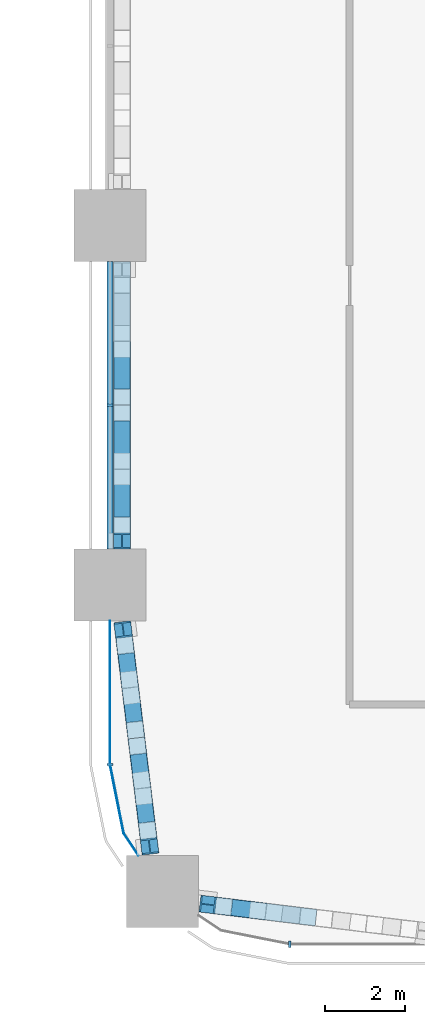
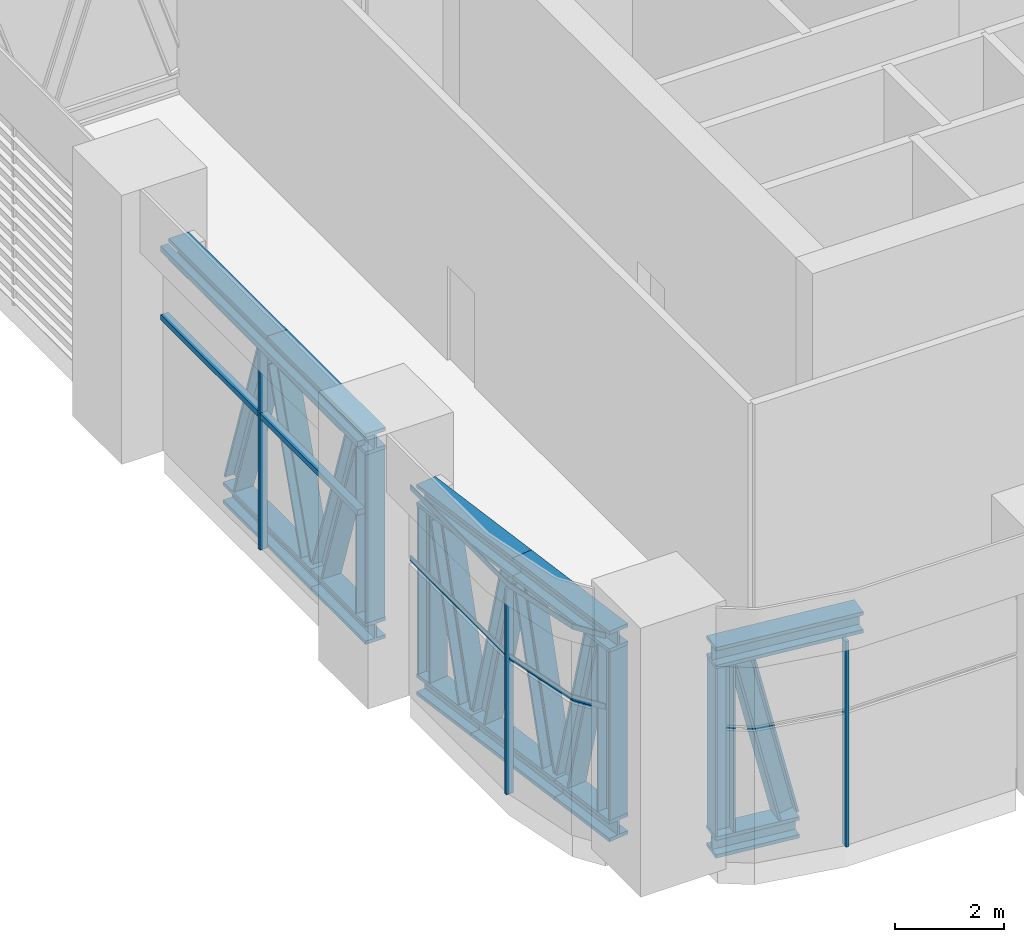
# One storey, part 2 of 24: 30 members, 3 elements without a shape of their own.
"""IFC4 building model written with IfcOpenShell, lengths in metres."""

from ifc_helpers import new_model, si_unit, direction, frame, origin, origin_2d, place, context, subcontext, project, spatial, polyline, rectangle, i_section, outline, extrude, material, material_profile, profile_set, type_object, element, aggregate, save


model = new_model("IFC4")

# Units and contexts
model_context = context("Model", 3, precision=1e-05, world=origin(), true_north=direction((0.0, 1.0)))
body_context = subcontext(model_context, "Body", "Model", "MODEL_VIEW")
ifc_project = project(units=[si_unit("LENGTHUNIT", "METRE"), si_unit("AREAUNIT", "SQUARE_METRE"), si_unit("VOLUMEUNIT", "CUBIC_METRE"), si_unit("PLANEANGLEUNIT", "RADIAN"), si_unit("MASSUNIT", "GRAM", prefix="KILO")], contexts=[model_context])

# Site, building, storey
site_placement = place(None, origin())
site = spatial("IfcSite", under=ifc_project, at=site_placement, CompositionType="ELEMENT")
building_placement = place(site_placement, origin())
building = spatial("IfcBuilding", under=site, at=building_placement, Name="Tessera Arch", CompositionType="ELEMENT")
storey_placement = place(building_placement, frame((0.0, 0.0, 123.39990234375)))
storey = spatial("IfcBuildingStorey", under=building, at=storey_placement, Name="L29", CompositionType="ELEMENT", Elevation=123.39990234375)

# Curtain wall, member
ifc_material_1 = material(Name="CW7 curtain wall")
curtain_wall_type = type_object("IfcCurtainWallType", Name="CW7 curtain wall", PredefinedType="NOTDEFINED", material=ifc_material_1)
curtain_wall_1_placement = place(storey_placement, origin())
curtain_wall_1 = element("IfcCurtainWall", 1, at=curtain_wall_1_placement, inside=storey, type_object=curtain_wall_type, Name="CW7 curtain wall W27.0/1 L29", PredefinedType="NOTDEFINED")
ifc_material_2 = material(Name="Anodised aluminium pale metal", Category="aluminium")
ifc_material_profile_1 = material_profile(ifc_material_2, rectangle(XDim=0.159912109375, YDim=0.06005859375, at=origin_2d()), Name="AL 60x160")
ifc_profile_set_1 = profile_set([ifc_material_profile_1], Name="Anodised aluminium pale metal")
member_type_1 = type_object("IfcMemberType", Name="CW7 mullion", PredefinedType="MULLION", material=ifc_profile_set_1)
member_1_placement = place(storey_placement, frame((27.0, 13.5, 0.0), z_axis=(0.0, 0.0, 1.0), x_axis=(1.0, 0.0, 0.0)))
member_1 = element("IfcMember", 2, at=member_1_placement, type_object=member_type_1, Name="CW7 mullion W27.0/1 1", PredefinedType="MULLION", context=body_context, shape_type="SweptSolid", body=[
    extrude(rectangle(XDim=0.159912109375, YDim=0.06005859375, at=origin_2d()), origin(), (0.0, 0.0, 1.0), 4.47021484375),
])

curtain_wall_2_placement = place(storey_placement, origin())
curtain_wall_2 = element("IfcCurtainWall", 3, at=curtain_wall_2_placement, inside=storey, type_object=curtain_wall_type, Name="CW7 curtain wall W27.0/2 L29", PredefinedType="NOTDEFINED")
member_2_placement = place(storey_placement, frame((27.0, 4.5, 0.0), z_axis=(0.0, 0.0, 1.0), x_axis=(1.0, 0.0, 0.0)))
member_2 = element("IfcMember", 4, at=member_2_placement, type_object=member_type_1, Name="CW7 mullion W27.0/2 1", PredefinedType="MULLION", context=body_context, shape_type="SweptSolid", body=[
    extrude(rectangle(XDim=0.159912109375, YDim=0.06005859375, at=origin_2d()), origin(), (0.0, 0.0, 1.0), 4.580078125),
])

curtain_wall_3_placement = place(storey_placement, origin())
curtain_wall_3 = element("IfcCurtainWall", 5, at=curtain_wall_3_placement, inside=storey, type_object=curtain_wall_type, Name="CW7 curtain wall S0.27/0 L29", PredefinedType="NOTDEFINED")
member_3_placement = place(storey_placement, frame((31.5, 0.0, 0.0), z_axis=(0.0, 0.0, 1.0), x_axis=(0.0, 1.0, 0.0)))
member_3 = element("IfcMember", 6, at=member_3_placement, type_object=member_type_1, Name="CW7 mullion S0.27/0 1", PredefinedType="MULLION", context=body_context, shape_type="SweptSolid", body=[
    extrude(rectangle(XDim=0.159912109375, YDim=0.06005859375, at=origin_2d()), origin(), (0.0, 0.0, 1.0), 4.580078125),
])
aggregate(curtain_wall_3, [member_3])

# Member
ifc_material_3 = material(Name="Anodised aluminium pale metal", Category="aluminium")
ifc_material_profile_2 = material_profile(ifc_material_3, rectangle(XDim=0.159912109375, YDim=0.1201171875, at=origin_2d()), Name="AL 160x120")
ifc_profile_set_2 = profile_set([ifc_material_profile_2], Name="Anodised aluminium pale metal")
member_type_2 = type_object("IfcMemberType", Name="CW7 transom", PredefinedType="USERDEFINED", material=ifc_profile_set_2)
member_4_placement = place(storey_placement, frame((27.0, 17.10009765625, 4.530029296875), z_axis=(0.0, -1.0, 0.0), x_axis=(1.0, 0.0, 0.0)))
member_4 = element("IfcMember", 7, at=member_4_placement, type_object=member_type_2, Name="CW7 transom W27.0/1 1.1", ObjectType="TRANSOM", PredefinedType="USERDEFINED", context=body_context, shape_type="SweptSolid", body=[
    extrude(rectangle(XDim=0.159912109375, YDim=0.1201171875, at=origin_2d()), origin(), (0.0, 0.0, 1.0), 7.2001953125),
])

member_5_placement = place(storey_placement, frame((27.0, 17.10009765625, 3.0), z_axis=(0.0, -1.0, 0.0), x_axis=(1.0, 0.0, 0.0)))
member_5 = element("IfcMember", 8, at=member_5_placement, type_object=member_type_2, Name="CW7 transom W27.0/1 2.1", ObjectType="TRANSOM", PredefinedType="USERDEFINED", context=body_context, shape_type="SweptSolid", body=[
    extrude(rectangle(XDim=0.159912109375, YDim=0.1201171875, at=origin_2d()), origin(), (0.0, 0.0, 1.0), 7.2001953125),
])

aggregate(curtain_wall_1, [member_1, member_4, member_5])

member_6_placement = place(storey_placement, frame((0.0, 0.0, 3.0)))
member_6 = element("IfcMember", 9, at=member_6_placement, type_object=member_type_2, Name="CW7 transom W27.0/2 1", ObjectType="TRANSOM", PredefinedType="USERDEFINED", context=body_context, shape_type="SweptSolid", body=[
    extrude(outline(polyline([(27.010009765625, 4.5009765625), (27.010009765625, 8.10009765625), (26.989990234375, 8.10009765625), (26.989990234375, 4.4990234375), (27.3330078125, 2.77392578125), (27.70849609375, 2.21240234375), (27.72509765625, 2.2236328125), (27.351806640625, 2.78173828125), (27.010009765625, 4.5009765625)])), origin(), (0.0, 0.0, 1.0), 0.1201171875),
])

member_7_placement = place(storey_placement, frame((0.0, 0.0, 4.580078125)))
member_7 = element("IfcMember", 10, at=member_7_placement, type_object=member_type_2, Name="CW7 transom W27.0/2 2", ObjectType="TRANSOM", PredefinedType="USERDEFINED", context=body_context, shape_type="SweptSolid", body=[
    extrude(outline(polyline([(27.010009765625, 4.5009765625), (27.010009765625, 8.10009765625), (26.989990234375, 8.10009765625), (26.989990234375, 4.4990234375), (27.3330078125, 2.77392578125), (27.70849609375, 2.21240234375), (27.72509765625, 2.2236328125), (27.351806640625, 2.78173828125), (27.010009765625, 4.5009765625)])), origin(), (0.0, 0.0, 1.0), 0.1201171875),
])

aggregate(curtain_wall_2, [member_2, member_6, member_7])

# Members
ifc_material_4 = material(Name="Steel A992 Gr50", Category="steel")
ifc_material_profile_3 = material_profile(ifc_material_4, i_section(OverallWidth=0.424072265625, OverallDepth=0.47412109375, WebThickness=0.047607421875, FlangeThickness=0.0771484375, at=origin_2d()), Name="W14x426")
ifc_profile_set_3 = profile_set([ifc_material_profile_3], Name="Steel A992 Gr50")
member_type_3 = type_object("IfcMemberType", Name="Truss chord W14x426", PredefinedType="CHORD", material=ifc_profile_set_3)
for number, where, z_axis, x_axis, name in (
    (11, (27.300048828125, 17.10009765625, 4.462890625), (0.0, -1.0, 0.0), (1.0, 0.0, 0.0), "Belt truss top chord 1"),
    (12, (27.300048828125, 13.5, 4.462890625), (0.0, -1.0, 0.0), (1.0, 0.0, 0.0), "Belt truss top chord 2"),
):
    element("IfcMember", number, at=place(storey_placement, frame(where, z_axis=z_axis, x_axis=x_axis)), inside=storey, type_object=member_type_3, Name=name, PredefinedType="CHORD", context=body_context, shape_type="SweptSolid", body=[
        extrude(i_section(OverallWidth=0.424072265625, OverallDepth=0.47412109375, WebThickness=0.047607421875, FlangeThickness=0.0771484375, at=origin_2d()), origin(), (0.0, 0.0, 1.0), 3.60009765625),
    ])
member_8_placement = place(storey_placement, frame((27.300048828125, 15.103271484375, 0.2373046875), z_axis=(0.0, -1.0, 0.0), x_axis=(1.0, 0.0, 0.0)))
element("IfcMember", 13, at=member_8_placement, inside=storey, type_object=member_type_3, Name="Belt truss bottom chord 2", PredefinedType="CHORD", context=body_context, shape_type="SweptSolid", body=[
    extrude(i_section(OverallWidth=0.424072265625, OverallDepth=0.47412109375, WebThickness=0.047607421875, FlangeThickness=0.0771484375, at=origin_2d()), origin(), (0.0, 0.0, 1.0), 3.20654296875),
])
member_9_placement = place(storey_placement, frame((27.300048828125, 11.896728515625, 0.2373046875), z_axis=(0.0, -1.0, 0.0), x_axis=(1.0, 0.0, 0.0)))
element("IfcMember", 14, at=member_9_placement, inside=storey, type_object=member_type_3, Name="Belt truss bottom chord 3", PredefinedType="CHORD", context=body_context, shape_type="SweptSolid", body=[
    extrude(i_section(OverallWidth=0.424072265625, OverallDepth=0.47412109375, WebThickness=0.047607421875, FlangeThickness=0.0771484375, at=origin_2d()), origin(), (0.0, 0.0, 1.0), 1.996826171875),
])
member_10_placement = place(storey_placement, frame((27.305419921875, 8.074462890625, 4.462890625), z_axis=(0.120918280139, -0.992662465055, 0.0), x_axis=(0.992662465055, 0.120918280139, 0.0)))
element("IfcMember", 15, at=member_10_placement, inside=storey, type_object=member_type_3, Name="Belt truss top chord 1", PredefinedType="CHORD", context=body_context, shape_type="SweptSolid", body=[
    extrude(i_section(OverallWidth=0.424072265625, OverallDepth=0.47412109375, WebThickness=0.047607421875, FlangeThickness=0.0771484375, at=origin_2d()), origin(), (0.0, 0.0, 1.0), 2.931640625),
])
member_11_placement = place(storey_placement, frame((27.659912109375, 5.164306640625, 4.462890625), z_axis=(0.12092827679, -0.992661247291, 0.0), x_axis=(0.992661247291, 0.12092827679, 0.0)))
element("IfcMember", 16, at=member_11_placement, inside=storey, type_object=member_type_3, Name="Belt truss top chord 2", PredefinedType="CHORD", context=body_context, shape_type="SweptSolid", body=[
    extrude(i_section(OverallWidth=0.424072265625, OverallDepth=0.47412109375, WebThickness=0.047607421875, FlangeThickness=0.0771484375, at=origin_2d()), origin(), (0.0, 0.0, 1.0), 2.931396484375),
])
member_12_placement = place(storey_placement, frame((27.305419921875, 8.074462890625, 0.2373046875), z_axis=(0.120853214479, -0.992670388674, 0.0), x_axis=(0.992670388674, 0.120853214479, 0.0)))
element("IfcMember", 17, at=member_12_placement, inside=storey, type_object=member_type_3, Name="Belt truss bottom chord 1", PredefinedType="CHORD", context=body_context, shape_type="SweptSolid", body=[
    extrude(i_section(OverallWidth=0.424072265625, OverallDepth=0.47412109375, WebThickness=0.047607421875, FlangeThickness=0.0771484375, at=origin_2d()), origin(), (0.0, 0.0, 1.0), 1.66259765625),
])
member_13_placement = place(storey_placement, frame((27.50634765625, 6.424072265625, 0.2373046875), z_axis=(0.121015073404, -0.992650669676, 0.0), x_axis=(0.992650669676, 0.121015073404, 0.0)))
element("IfcMember", 18, at=member_13_placement, inside=storey, type_object=member_type_3, Name="Belt truss bottom chord 2", PredefinedType="CHORD", context=body_context, shape_type="SweptSolid", body=[
    extrude(i_section(OverallWidth=0.424072265625, OverallDepth=0.47412109375, WebThickness=0.047607421875, FlangeThickness=0.0771484375, at=origin_2d()), origin(), (0.0, 0.0, 1.0), 2.537841796875),
])
member_14_placement = place(storey_placement, frame((27.8134765625, 3.90478515625, 0.2373046875), z_axis=(0.120853214479, -0.992670388674, 0.0), x_axis=(0.992670388674, 0.120853214479, 0.0)))
element("IfcMember", 19, at=member_14_placement, inside=storey, type_object=member_type_3, Name="Belt truss bottom chord 3", PredefinedType="CHORD", context=body_context, shape_type="SweptSolid", body=[
    extrude(i_section(OverallWidth=0.424072265625, OverallDepth=0.47412109375, WebThickness=0.047607421875, FlangeThickness=0.0771484375, at=origin_2d()), origin(), (0.0, 0.0, 1.0), 1.66259765625),
])
member_15_placement = place(storey_placement, frame((29.25439453125, 1.014404296875, 4.462890625), z_axis=(0.992661247291, -0.12092827679, 0.0), x_axis=(0.12092827679, 0.992661247291, 0.0)))
element("IfcMember", 20, at=member_15_placement, inside=storey, type_object=member_type_3, Name="Belt truss top chord 1", PredefinedType="CHORD", context=body_context, shape_type="SweptSolid", body=[
    extrude(i_section(OverallWidth=0.424072265625, OverallDepth=0.47412109375, WebThickness=0.047607421875, FlangeThickness=0.0771484375, at=origin_2d()), origin(), (0.0, 0.0, 1.0), 2.931396484375),
])
member_16_placement = place(storey_placement, frame((29.25439453125, 1.014404296875, 0.2373046875), z_axis=(0.992670388674, -0.120853214479, 0.0), x_axis=(0.120853214479, 0.992670388674, 0.0)))
element("IfcMember", 21, at=member_16_placement, inside=storey, type_object=member_type_3, Name="Belt truss bottom chord 1", PredefinedType="CHORD", context=body_context, shape_type="SweptSolid", body=[
    extrude(i_section(OverallWidth=0.424072265625, OverallDepth=0.47412109375, WebThickness=0.047607421875, FlangeThickness=0.0771484375, at=origin_2d()), origin(), (0.0, 0.0, 1.0), 1.66259765625),
])
ifc_material_5 = material(Name="Steel A992 Gr50", Category="steel")
ifc_material_profile_4 = material_profile(ifc_material_5, i_section(OverallWidth=0.406494140625, OverallDepth=0.41650390625, WebThickness=0.030029296875, FlangeThickness=0.048095703125, at=origin_2d()), Name="W14x257")
ifc_profile_set_4 = profile_set([ifc_material_profile_4], Name="Steel A992 Gr50")
member_type_4 = type_object("IfcMemberType", Name="Truss diagonal W14x257", PredefinedType="BRACE", material=ifc_profile_set_4)
for number, where, z_axis, x_axis, name in (
    (22, (27.300048828125, 14.89990234375, 0.557373046875), (0.0, -0.316557157585, 0.948573437316), (1.0, 0.0, 0.0), "Belt truss diagonal 2"),
    (23, (27.300048828125, 13.296630859375, 4.142822265625), (0.0, -0.316557157585, -0.948573437316), (1.0, 0.0, 0.0), "Belt truss diagonal 3"),
    (24, (27.300048828125, 11.693603515625, 0.557373046875), (0.0, -0.316557157585, 0.948573437316), (1.0, 0.0, 0.0), "Belt truss diagonal 4"),
):
    element("IfcMember", number, at=place(storey_placement, frame(where, z_axis=z_axis, x_axis=x_axis)), inside=storey, type_object=member_type_4, Name=name, PredefinedType="BRACE", context=body_context, shape_type="SweptSolid", body=[
        extrude(i_section(OverallWidth=0.406494140625, OverallDepth=0.41650390625, WebThickness=0.030029296875, FlangeThickness=0.048095703125, at=origin_2d()), origin(), (0.0, 0.0, 1.0), 3.77978515625),
    ])
for number, where, z_axis, x_axis, name in (
    (25, (27.3779296875, 7.478271484375, 4.160400390625), (0.027825080377, -0.228178784129, -0.973221561298), (0.992646714248, 0.121047514191, 0.0), "Belt truss diagonal 1"),
    (26, (27.531494140625, 6.21875, 0.539794921875), (0.027824663666, -0.228240991109, 0.973206986242), (0.992650895605, 0.121013220166, 0.0), "Belt truss diagonal 2"),
    (27, (27.684814453125, 4.958984375, 4.160400390625), (0.027825080377, -0.228178784129, -0.973221561298), (0.992646714248, 0.121047514191, 0.0), "Belt truss diagonal 3"),
    (28, (27.83837890625, 3.699462890625, 0.539794921875), (0.027824663666, -0.228240991109, 0.973206986242), (0.992650895605, 0.121013220166, 0.0), "Belt truss diagonal 4"),
    (29, (29.850341796875, 0.94189453125, 4.160400390625), (0.228240991109, -0.027824663666, -0.973206986242), (0.121013220166, 0.992650895605, 0.0), "Belt truss diagonal 1"),
):
    element("IfcMember", number, at=place(storey_placement, frame(where, z_axis=z_axis, x_axis=x_axis)), inside=storey, type_object=member_type_4, Name=name, PredefinedType="BRACE", context=body_context, shape_type="SweptSolid", body=[
        extrude(i_section(OverallWidth=0.406494140625, OverallDepth=0.41650390625, WebThickness=0.030029296875, FlangeThickness=0.048095703125, at=origin_2d()), origin(), (0.0, 0.0, 1.0), 3.72021484375),
    ])
ifc_material_6 = material(Name="Steel A992 Gr50", Category="steel")
ifc_material_profile_5 = material_profile(ifc_material_6, i_section(OverallWidth=0.398681640625, OverallDepth=0.393798828125, WebThickness=0.022705078125, FlangeThickness=0.03662109375, at=origin_2d()), Name="W14x193")
ifc_profile_set_5 = profile_set([ifc_material_profile_5], Name="Steel A992 Gr50")
member_type_5 = type_object("IfcMemberType", Name="Truss post W14x193", PredefinedType="POST", material=ifc_profile_set_5)
for number, where, z_axis, x_axis, name in (
    (30, (27.300048828125, 10.096923828125, 0.474365234375), (0.0, 0.0, 1.0), (1.0, 0.0, 0.0), "Belt truss end post 2"),
    (31, (27.3291015625, 7.87890625, 0.474365234375), (0.0, 0.0, 1.0), (0.992658385962, 0.120951762202, 0.0), "Belt truss end post 1"),
    (32, (27.99072265625, 2.44970703125, 0.474365234375), (0.0, 0.0, 1.0), (0.992658385962, 0.120951762202, 0.0), "Belt truss end post 2"),
    (33, (29.44970703125, 0.99072265625, 0.474365234375), (0.0, 0.0, 1.0), (0.120951762202, 0.992658385962, 0.0), "Belt truss end post 1"),
):
    element("IfcMember", number, at=place(storey_placement, frame(where, z_axis=z_axis, x_axis=x_axis)), inside=storey, type_object=member_type_5, Name=name, PredefinedType="POST", context=body_context, shape_type="SweptSolid", body=[
        extrude(i_section(OverallWidth=0.398681640625, OverallDepth=0.393798828125, WebThickness=0.022705078125, FlangeThickness=0.03662109375, at=origin_2d()), origin(), (0.0, 0.0, 1.0), 3.75146484375),
    ])

save(model, "model.ifc")
